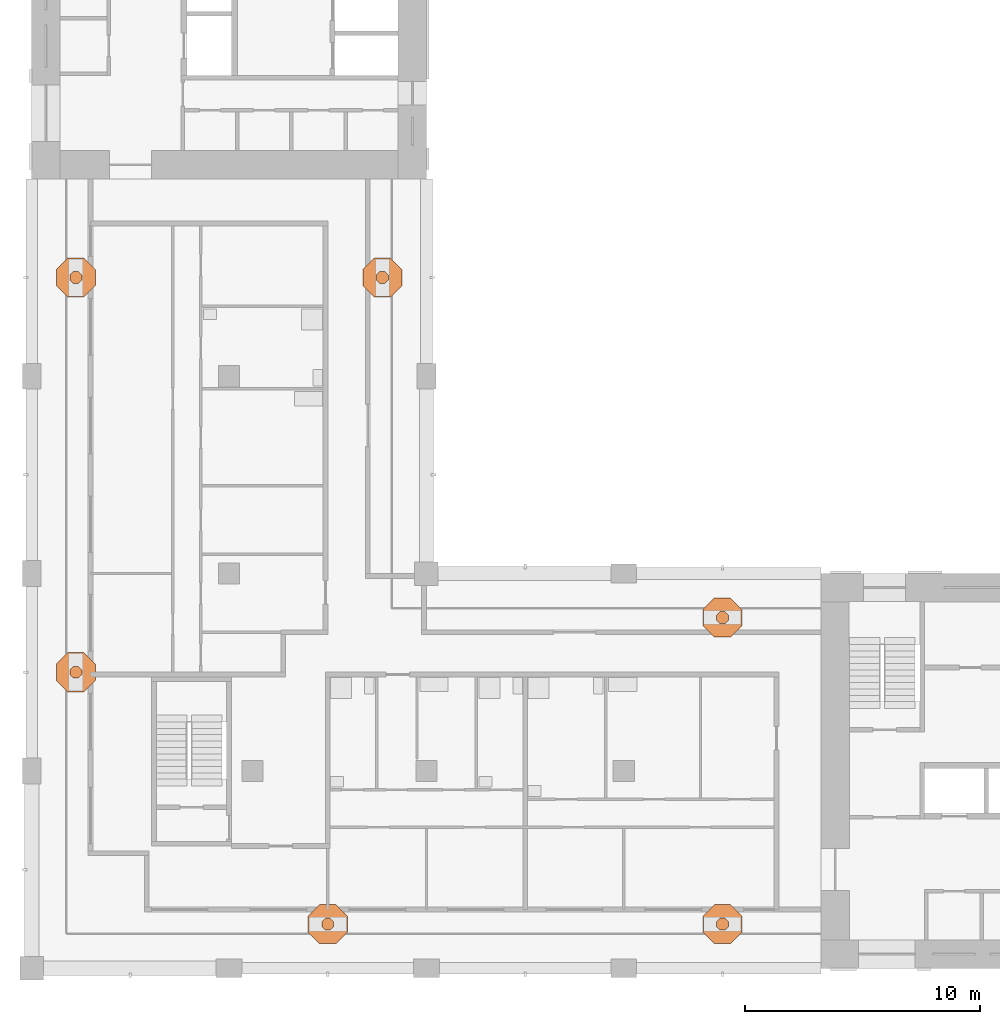
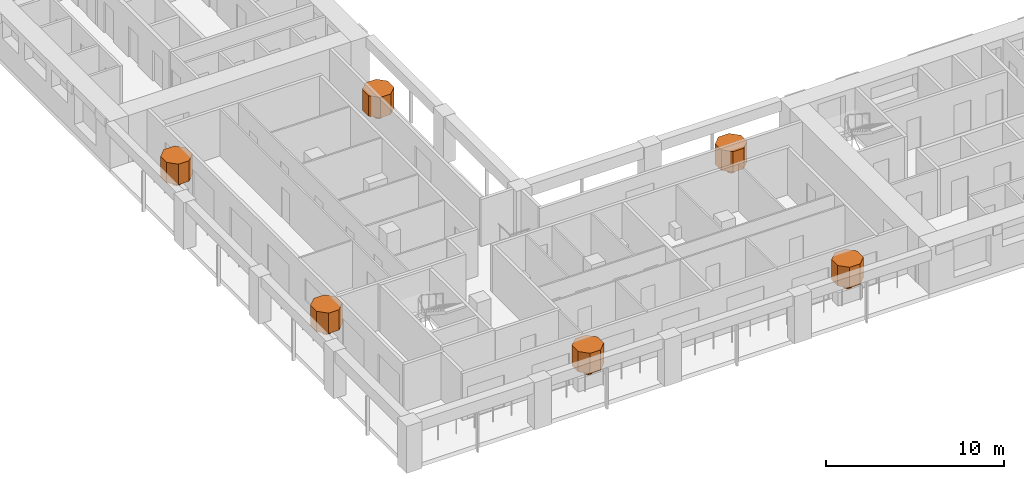
# One storey, part 12 of 12: 12 geographic elements.
"""IFC4 building model written with IfcOpenShell, lengths in metres."""

from ifc_helpers import new_model, si_unit, direction, frame, origin, place, context, subcontext, project, spatial, polyline, outline, extrude, material, element, save


model = new_model("IFC4")

# Units and contexts
model_context = context("Model", 3, precision=1e-05, world=origin(), true_north=direction((0.0, 1.0)))
body_context = subcontext(model_context, "Body", "Model", "MODEL_VIEW")
ifc_project = project(units=[si_unit("LENGTHUNIT", "METRE"), si_unit("AREAUNIT", "SQUARE_METRE"), si_unit("VOLUMEUNIT", "CUBIC_METRE"), si_unit("PLANEANGLEUNIT", "RADIAN"), si_unit("MASSUNIT", "GRAM", prefix="KILO")], contexts=[model_context])

# Site, building, storey
site_placement = place(None, origin())
site = spatial("IfcSite", under=ifc_project, at=site_placement, CompositionType="ELEMENT")
building_placement = place(site_placement, origin())
building = spatial("IfcBuilding", under=site, at=building_placement, Name="Vermilion Gate Residences", CompositionType="ELEMENT")
storey_placement = place(building_placement, frame((0.0, 0.0, 238.699951171875)))
storey = spatial("IfcBuildingStorey", under=building, at=storey_placement, Name="L62", CompositionType="ELEMENT", Elevation=238.699951171875)

# Geographic elements
ifc_material = material(Name="Foliage")
geographic_element_1_placement = place(storey_placement, frame((0.0, 0.0, 0.900146484375)))
element("IfcGeographicElement", 1, at=geographic_element_1_placement, inside=storey, material=ifc_material, Name="Tree (maple)", ObjectType="TREE", PredefinedType="USERDEFINED", context=body_context, shape_type="SweptSolid", body=[
    extrude(outline(polyline([(21.254150390625, 10.380126953125), (21.105224609375, 10.529052734375), (20.894775390625, 10.529052734375), (20.745849609375, 10.380126953125), (20.745849609375, 10.169921875), (20.894775390625, 10.02099609375), (21.105224609375, 10.02099609375), (21.254150390625, 10.169921875), (21.254150390625, 10.380126953125)])), origin(), (0.0, 0.0, 1.0), 0.52001953125),
])
geographic_element_2_placement = place(storey_placement, frame((0.0, 0.0, 1.420166015625)))
element("IfcGeographicElement", 2, at=geographic_element_2_placement, inside=storey, material=ifc_material, Name="Tree crown (maple)", ObjectType="TREE", PredefinedType="USERDEFINED", context=body_context, shape_type="SweptSolid", body=[
    extrude(outline(polyline([(21.83154296875, 10.619384765625), (21.344482421875, 11.1064453125), (20.655517578125, 11.1064453125), (20.16845703125, 10.619384765625), (20.16845703125, 9.9306640625), (20.655517578125, 9.443603515625), (21.344482421875, 9.443603515625), (21.83154296875, 9.9306640625), (21.83154296875, 10.619384765625)])), origin(), (0.0, 0.0, 1.0), 1.39990234375),
])
geographic_element_3_placement = place(storey_placement, frame((0.0, 0.0, 0.900146484375)))
element("IfcGeographicElement", 3, at=geographic_element_3_placement, inside=storey, material=ifc_material, Name="Tree (black pine)", ObjectType="TREE", PredefinedType="USERDEFINED", context=body_context, shape_type="SweptSolid", body=[
    extrude(outline(polyline([(38.05419921875, 10.380126953125), (37.9052734375, 10.529052734375), (37.69482421875, 10.529052734375), (37.5458984375, 10.380126953125), (37.5458984375, 10.169921875), (37.69482421875, 10.02099609375), (37.9052734375, 10.02099609375), (38.05419921875, 10.169921875), (38.05419921875, 10.380126953125)])), origin(), (0.0, 0.0, 1.0), 0.52001953125),
])
geographic_element_4_placement = place(storey_placement, frame((0.0, 0.0, 1.420166015625)))
element("IfcGeographicElement", 4, at=geographic_element_4_placement, inside=storey, material=ifc_material, Name="Tree crown (black pine)", ObjectType="TREE", PredefinedType="USERDEFINED", context=body_context, shape_type="SweptSolid", body=[
    extrude(outline(polyline([(38.631591796875, 10.619384765625), (38.144287109375, 11.1064453125), (37.45556640625, 11.1064453125), (36.968505859375, 10.619384765625), (36.968505859375, 9.9306640625), (37.45556640625, 9.443603515625), (38.144287109375, 9.443603515625), (38.631591796875, 9.9306640625), (38.631591796875, 10.619384765625)])), origin(), (0.0, 0.0, 1.0), 1.39990234375),
])
geographic_element_5_placement = place(storey_placement, frame((0.0, 0.0, 0.900146484375)))
element("IfcGeographicElement", 5, at=geographic_element_5_placement, inside=storey, material=ifc_material, Name="Tree (black pine)", ObjectType="TREE", PredefinedType="USERDEFINED", context=body_context, shape_type="SweptSolid", body=[
    extrude(outline(polyline([(38.05419921875, 23.43017578125), (37.9052734375, 23.5791015625), (37.69482421875, 23.5791015625), (37.5458984375, 23.43017578125), (37.5458984375, 23.2197265625), (37.69482421875, 23.07080078125), (37.9052734375, 23.07080078125), (38.05419921875, 23.2197265625), (38.05419921875, 23.43017578125)])), origin(), (0.0, 0.0, 1.0), 0.52001953125),
])
geographic_element_6_placement = place(storey_placement, frame((0.0, 0.0, 1.420166015625)))
element("IfcGeographicElement", 6, at=geographic_element_6_placement, inside=storey, material=ifc_material, Name="Tree crown (black pine)", ObjectType="TREE", PredefinedType="USERDEFINED", context=body_context, shape_type="SweptSolid", body=[
    extrude(outline(polyline([(38.631591796875, 23.66943359375), (38.144287109375, 24.156494140625), (37.45556640625, 24.156494140625), (36.968505859375, 23.66943359375), (36.968505859375, 22.980712890625), (37.45556640625, 22.493408203125), (38.144287109375, 22.493408203125), (38.631591796875, 22.980712890625), (38.631591796875, 23.66943359375)])), origin(), (0.0, 0.0, 1.0), 1.39990234375),
])
geographic_element_7_placement = place(storey_placement, frame((0.0, 0.0, 0.900146484375)))
element("IfcGeographicElement", 7, at=geographic_element_7_placement, inside=storey, material=ifc_material, Name="Tree (black pine)", ObjectType="TREE", PredefinedType="USERDEFINED", context=body_context, shape_type="SweptSolid", body=[
    extrude(outline(polyline([(23.5791015625, 37.9052734375), (23.43017578125, 38.05419921875), (23.2197265625, 38.05419921875), (23.07080078125, 37.9052734375), (23.07080078125, 37.69482421875), (23.2197265625, 37.5458984375), (23.43017578125, 37.5458984375), (23.5791015625, 37.69482421875), (23.5791015625, 37.9052734375)])), origin(), (0.0, 0.0, 1.0), 0.52001953125),
])
geographic_element_8_placement = place(storey_placement, frame((0.0, 0.0, 1.420166015625)))
element("IfcGeographicElement", 8, at=geographic_element_8_placement, inside=storey, material=ifc_material, Name="Tree crown (black pine)", ObjectType="TREE", PredefinedType="USERDEFINED", context=body_context, shape_type="SweptSolid", body=[
    extrude(outline(polyline([(24.156494140625, 38.144287109375), (23.66943359375, 38.631591796875), (22.980712890625, 38.631591796875), (22.493408203125, 38.144287109375), (22.493408203125, 37.45556640625), (22.980712890625, 36.968505859375), (23.66943359375, 36.968505859375), (24.156494140625, 37.45556640625), (24.156494140625, 38.144287109375)])), origin(), (0.0, 0.0, 1.0), 1.39990234375),
])
geographic_element_9_placement = place(storey_placement, frame((0.0, 0.0, 0.900146484375)))
element("IfcGeographicElement", 9, at=geographic_element_9_placement, inside=storey, material=ifc_material, Name="Tree (maple)", ObjectType="TREE", PredefinedType="USERDEFINED", context=body_context, shape_type="SweptSolid", body=[
    extrude(outline(polyline([(10.529052734375, 21.105224609375), (10.380126953125, 21.254150390625), (10.169921875, 21.254150390625), (10.02099609375, 21.105224609375), (10.02099609375, 20.894775390625), (10.169921875, 20.745849609375), (10.380126953125, 20.745849609375), (10.529052734375, 20.894775390625), (10.529052734375, 21.105224609375)])), origin(), (0.0, 0.0, 1.0), 0.52001953125),
])
geographic_element_10_placement = place(storey_placement, frame((0.0, 0.0, 1.420166015625)))
element("IfcGeographicElement", 10, at=geographic_element_10_placement, inside=storey, material=ifc_material, Name="Tree crown (maple)", ObjectType="TREE", PredefinedType="USERDEFINED", context=body_context, shape_type="SweptSolid", body=[
    extrude(outline(polyline([(11.1064453125, 21.344482421875), (10.619384765625, 21.83154296875), (9.9306640625, 21.83154296875), (9.443603515625, 21.344482421875), (9.443603515625, 20.655517578125), (9.9306640625, 20.16845703125), (10.619384765625, 20.16845703125), (11.1064453125, 20.655517578125), (11.1064453125, 21.344482421875)])), origin(), (0.0, 0.0, 1.0), 1.39990234375),
])
geographic_element_11_placement = place(storey_placement, frame((0.0, 0.0, 0.900146484375)))
element("IfcGeographicElement", 11, at=geographic_element_11_placement, inside=storey, material=ifc_material, Name="Tree (black pine)", ObjectType="TREE", PredefinedType="USERDEFINED", context=body_context, shape_type="SweptSolid", body=[
    extrude(outline(polyline([(10.529052734375, 37.9052734375), (10.380126953125, 38.05419921875), (10.169921875, 38.05419921875), (10.02099609375, 37.9052734375), (10.02099609375, 37.69482421875), (10.169921875, 37.5458984375), (10.380126953125, 37.5458984375), (10.529052734375, 37.69482421875), (10.529052734375, 37.9052734375)])), origin(), (0.0, 0.0, 1.0), 0.52001953125),
])
geographic_element_12_placement = place(storey_placement, frame((0.0, 0.0, 1.420166015625)))
element("IfcGeographicElement", 12, at=geographic_element_12_placement, inside=storey, material=ifc_material, Name="Tree crown (black pine)", ObjectType="TREE", PredefinedType="USERDEFINED", context=body_context, shape_type="SweptSolid", body=[
    extrude(outline(polyline([(11.1064453125, 38.144287109375), (10.619384765625, 38.631591796875), (9.9306640625, 38.631591796875), (9.443603515625, 38.144287109375), (9.443603515625, 37.45556640625), (9.9306640625, 36.968505859375), (10.619384765625, 36.968505859375), (11.1064453125, 37.45556640625), (11.1064453125, 38.144287109375)])), origin(), (0.0, 0.0, 1.0), 1.39990234375),
])

save(model, "model.ifc")
